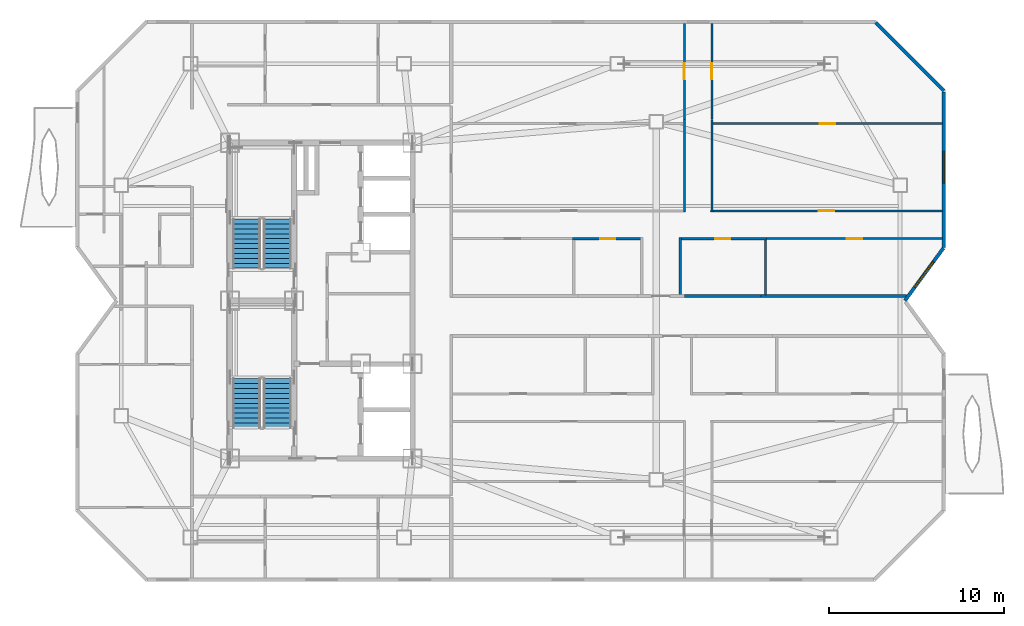
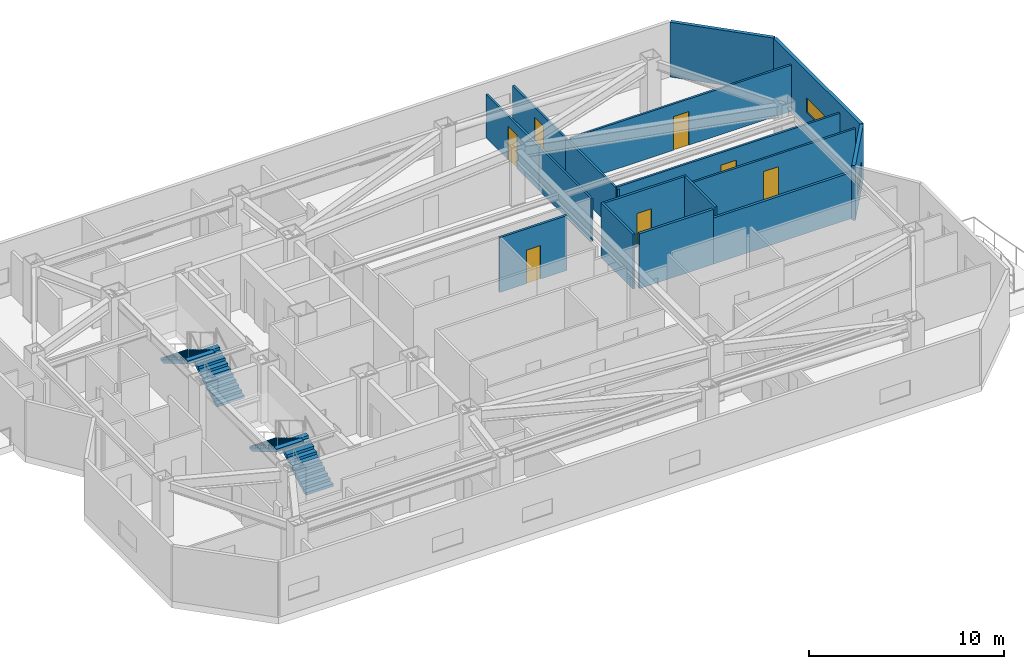
# One storey, part 8 of 10: 16 walls, 7 doors, 4 stair flights, 2 windows, 9 openings, 2 elements without a shape of their own.
"""IFC4 building model written with IfcOpenShell, lengths in metres."""

from ifc_helpers import new_model, si_unit, direction, frame, frame_2d, origin, place, context, subcontext, project, spatial, polyline, rectangle, outline, extrude, material, layer, layer_set, type_object, element, fill, aggregate, save


model = new_model("IFC4")

# Units and contexts
model_context = context("Model", 3, precision=1e-05, world=origin(), true_north=direction((0.0, 1.0)))
body_context = subcontext(model_context, "Body", "Model", "MODEL_VIEW")
ifc_project = project(units=[si_unit("LENGTHUNIT", "METRE"), si_unit("AREAUNIT", "SQUARE_METRE"), si_unit("VOLUMEUNIT", "CUBIC_METRE"), si_unit("PLANEANGLEUNIT", "RADIAN"), si_unit("MASSUNIT", "GRAM", prefix="KILO")], contexts=[model_context])

# Site, building, storey
site_placement = place(None, origin())
site = spatial("IfcSite", under=ifc_project, at=site_placement, CompositionType="ELEMENT")
building_placement = place(site_placement, origin())
building = spatial("IfcBuilding", under=site, at=building_placement, Name="Khamvora Tower", CompositionType="ELEMENT")
storey_placement = place(building_placement, frame((0.0, 0.0, 217.199951171875)))
storey = spatial("IfcBuildingStorey", under=building, at=storey_placement, Name="L55", CompositionType="ELEMENT", Elevation=217.199951171875)

# Walls
ifc_material_1 = material(Name="Fire-Rated Drywall and Steel Stud", Category="steel")
ifc_layer_1 = layer(ifc_material_1, 0.14990234375)
ifc_layer_set_1 = layer_set([ifc_layer_1], Name="Fire-Rated Drywall and Steel Stud")
wall_type_1 = type_object("IfcWallType", Name="WAL-CORR-150", PredefinedType="STANDARD", material=ifc_layer_set_1)
wall_1_placement = place(storey_placement, frame((59.281982421875, 28.264892578125, 0.0), z_axis=(0.0, 0.0, 1.0), x_axis=(1.0, 0.0, 0.0)))
element("IfcWall", 1, at=wall_1_placement, inside=storey, type_object=wall_type_1, Name="L55 interior partition wall 029", PredefinedType="STANDARD", context=body_context, shape_type="SweptSolid", body=[
    extrude(rectangle(XDim=8.284912109375, YDim=0.14990234375, at=frame_2d((4.142578125, 0.0))), origin(), (0.0, 0.0, 1.0), 2.886962890625),
])
wall_2_placement = place(storey_placement, frame((54.9150390625, 28.264892578125, 0.0), z_axis=(0.0, 0.0, 1.0), x_axis=(1.0, 0.0, 0.0)))
element("IfcWall", 2, at=wall_2_placement, inside=storey, type_object=wall_type_1, Name="L55 interior partition wall 033", PredefinedType="STANDARD", context=body_context, shape_type="SweptSolid", body=[
    extrude(rectangle(XDim=4.366943359375, YDim=0.14990234375, at=frame_2d((2.18359375, 0.0))), origin(), (0.0, 0.0, 1.0), 3.429931640625),
])
ifc_material_2 = material(Name="Precast concrete C40/50", Category="concrete")
ifc_layer_2 = layer(ifc_material_2, 0.199951171875)
ifc_layer_set_2 = layer_set([ifc_layer_2], Name="Precast concrete C40/50")
wall_type_2 = type_object("IfcWallType", Name="WAL-EXT-200", PredefinedType="STANDARD", material=ifc_layer_set_2)
wall_3_placement = place(storey_placement, frame((65.802001953125, 43.85693359375, 0.0), z_axis=(0.0, 0.0, 1.0), x_axis=(0.707106781187, -0.707106781187, 0.0)))
element("IfcWall", 3, at=wall_3_placement, inside=storey, type_object=wall_type_2, Name="L55 exterior facade wall 08.1", PredefinedType="STANDARD", context=body_context, shape_type="SweptSolid", body=[
    extrude(rectangle(XDim=5.512451171875, YDim=0.199951171875, at=frame_2d((2.75634765625, 0.0))), origin(), (0.0, 0.0, 1.0), 3.429931640625),
])

# Wall, opening, window
wall_4_placement = place(storey_placement, frame((69.699951171875, 39.89599609375, 0.0), z_axis=(0.0, 0.0, 1.0), x_axis=(0.0, -1.0, 0.0)))
wall_4 = element("IfcWall", 4, at=wall_4_placement, inside=storey, type_object=wall_type_2, Name="L55 exterior facade wall 09.1", PredefinedType="STANDARD", context=body_context, shape_type="SweptSolid", body=[
    extrude(rectangle(XDim=8.863037109375, YDim=0.199951171875, at=frame_2d((4.431640625, 0.0))), origin(), (0.0, 0.0, 1.0), 3.429931640625),
])
opening_1_placement = place(wall_4_placement, frame((3.39208984375, 0.0, 0.85009765625)))
opening_1 = element("IfcOpeningElement", 5, at=opening_1_placement, cuts=wall_4, Name="Opening WN-09", PredefinedType="OPENING", context=body_context, shape_type="SweptSolid", body=[
    extrude(rectangle(XDim=1.800048828125, YDim=0.919921875, at=frame_2d((0.89990234375, 0.4599609375))), frame((0.0, 0.10986328125, 0.0), z_axis=(0.0, -1.0, 0.0), x_axis=(1.0, 0.0, 0.0)), (0.0, 0.0, 1.0), 0.219970703125),
])
ifc_material_3 = material(Name="Low-E Laminated Double Glazing", Category="glass")
window_type = type_object("IfcWindowType", Name="WIN-CLR-1800x920", PartitioningType="SINGLE_PANEL", PredefinedType="WINDOW", material=ifc_material_3)
window_1_placement = place(opening_1_placement, origin())
window_1 = element("IfcWindow", 6, at=window_1_placement, inside=storey, type_object=window_type, Name="L55 vision window 09.1.01", OverallHeight=0.919921875, OverallWidth=1.800048828125, PartitioningType="SINGLE_PANEL", PredefinedType="WINDOW", context=body_context, shape_type="SweptSolid", body=[
    extrude(rectangle(XDim=1.800048828125, YDim=0.919921875, at=frame_2d((0.89990234375, 0.4599609375))), frame((0.0, 0.030029296875, 0.0), z_axis=(0.0, -1.0, 0.0), x_axis=(1.0, 0.0, 0.0)), (0.0, 0.0, 1.0), 0.06005859375),
])
fill(opening_1, window_1)

wall_5_placement = place(storey_placement, frame((69.669921875, 30.991943359375, 0.0), z_axis=(0.0, 0.0, 1.0), x_axis=(-0.591320870733, -0.806436375566, 0.0)))
wall_5 = element("IfcWall", 7, at=wall_5_placement, inside=storey, type_object=wall_type_2, Name="L55 exterior facade wall 10.1", PredefinedType="STANDARD", context=body_context, shape_type="SweptSolid", body=[
    extrude(rectangle(XDim=3.7099609375, YDim=0.199951171875, at=frame_2d((1.85498046875, 0.0))), origin(), (0.0, 0.0, 1.0), 3.429931640625),
])
opening_2_placement = place(wall_5_placement, frame((0.955078125, 0.0, 0.85009765625)))
opening_2 = element("IfcOpeningElement", 8, at=opening_2_placement, cuts=wall_5, Name="Opening WN-09", PredefinedType="OPENING", context=body_context, shape_type="SweptSolid", body=[
    extrude(rectangle(XDim=1.800048828125, YDim=0.919921875, at=frame_2d((0.89990234375, 0.4599609375))), frame((0.0, 0.10986328125, 0.0), z_axis=(0.0, -1.0, 0.0), x_axis=(1.0, 0.0, 0.0)), (0.0, 0.0, 1.0), 0.219970703125),
])
window_2_placement = place(opening_2_placement, origin())
window_2 = element("IfcWindow", 9, at=window_2_placement, inside=storey, type_object=window_type, Name="L55 vision window 10.1.01", OverallHeight=0.919921875, OverallWidth=1.800048828125, PartitioningType="SINGLE_PANEL", PredefinedType="WINDOW", context=body_context, shape_type="SweptSolid", body=[
    extrude(rectangle(XDim=1.800048828125, YDim=0.919921875, at=frame_2d((0.89990234375, 0.4599609375))), frame((0.0, 0.030029296875, 0.0), z_axis=(0.0, -1.0, 0.0), x_axis=(1.0, 0.0, 0.0)), (0.0, 0.0, 1.0), 0.06005859375),
])
fill(opening_2, window_2)

# Wall, opening, door
ifc_material_4 = material(Name="Gypsum Plasterboard Partition", Category="gypsum")
ifc_layer_3 = layer(ifc_material_4, 0.1201171875)
ifc_layer_set_3 = layer_set([ifc_layer_3], Name="Gypsum Plasterboard Partition")
wall_type_3 = type_object("IfcWallType", Name="WAL-PART-120", PredefinedType="PARTITIONING", material=ifc_layer_set_3)
wall_6_placement = place(storey_placement, frame((59.595947265625, 31.535888671875, 0.0), z_axis=(0.0, 0.0, 1.0), x_axis=(1.0, 0.0, 0.0)))
wall_6 = element("IfcWall", 10, at=wall_6_placement, inside=storey, type_object=wall_type_3, Name="L55 interior partition wall 079", PredefinedType="PARTITIONING", context=body_context, shape_type="SweptSolid", body=[
    extrude(rectangle(XDim=10.011962890625, YDim=0.1201171875, at=frame_2d((5.005859375, 0.0))), origin(), (0.0, 0.0, 1.0), 2.886962890625),
])
opening_3_placement = place(wall_6_placement, frame((4.555908203125, 0.0, 0.0)))
opening_3 = element("IfcOpeningElement", 11, at=opening_3_placement, cuts=wall_6, Name="Opening D-RM1", PredefinedType="OPENING", context=body_context, shape_type="SweptSolid", body=[
    extrude(rectangle(XDim=0.89990234375, YDim=2.10009765625, at=frame_2d((0.449951171875, 1.050048828125))), frame((0.0, 0.070068359375, 0.0), z_axis=(0.0, -1.0, 0.0), x_axis=(1.0, 0.0, 0.0)), (0.0, 0.0, 1.0), 0.14013671875),
])
ifc_material_5 = material(Name="Powder-Coated Steel and Hardwood Leaf", Category="steel")
door_type_1 = type_object("IfcDoorType", Name="DOR-ROOM-900", OperationType="NOTDEFINED", PredefinedType="DOOR", material=ifc_material_5)
door_1_placement = place(opening_3_placement, origin())
door_1 = element("IfcDoor", 12, at=door_1_placement, inside=storey, type_object=door_type_1, Name="L55 interior door 55EBW2-55EBH", OperationType="SINGLE_SWING_RIGHT", OverallHeight=2.10009765625, OverallWidth=0.89990234375, PredefinedType="DOOR", context=body_context, shape_type="SweptSolid", body=[
    extrude(rectangle(XDim=0.89990234375, YDim=2.10009765625, at=frame_2d((0.449951171875, 1.050048828125))), frame((0.0, 0.02490234375, 0.0), z_axis=(0.0, -1.0, 0.0), x_axis=(1.0, 0.0, 0.0)), (0.0, 0.0, 1.0), 0.050048828125),
])
fill(opening_3, door_1)

# Wall
wall_7_placement = place(storey_placement, frame((54.89990234375, 33.051025390625, 0.0), z_axis=(0.0, 0.0, 1.0), x_axis=(0.0, 1.0, 0.0)))
element("IfcWall", 13, at=wall_7_placement, inside=storey, type_object=wall_type_3, Name="L55 interior partition wall 086", PredefinedType="PARTITIONING", context=body_context, shape_type="SweptSolid", body=[
    extrude(rectangle(XDim=5.291015625, YDim=0.1201171875, at=frame_2d((2.6455078125, 0.0))), origin(), (0.0, 0.0, 1.0), 2.72509765625),
])

# Wall, opening, door
wall_8_placement = place(storey_placement, frame((54.89990234375, 38.342041015625, 0.0), z_axis=(0.0, 0.0, 1.0), x_axis=(0.0, 1.0, 0.0)))
wall_8 = element("IfcWall", 14, at=wall_8_placement, inside=storey, type_object=wall_type_3, Name="L55 interior partition wall 087", PredefinedType="PARTITIONING", context=body_context, shape_type="SweptSolid", body=[
    extrude(rectangle(XDim=5.466064453125, YDim=0.1201171875, at=frame_2d((2.73291015625, 0.0))), origin(), (0.0, 0.0, 1.0), 2.72509765625),
])
opening_4_placement = place(wall_8_placement, frame((2.282958984375, 0.0, 0.0)))
opening_4 = element("IfcOpeningElement", 15, at=opening_4_placement, cuts=wall_8, Name="Opening D-RM1", PredefinedType="OPENING", context=body_context, shape_type="SweptSolid", body=[
    extrude(rectangle(XDim=0.89990234375, YDim=2.10009765625, at=frame_2d((0.449951171875, 1.050048828125))), frame((0.0, 0.070068359375, 0.0), z_axis=(0.0, -1.0, 0.0), x_axis=(1.0, 0.0, 0.0)), (0.0, 0.0, 1.0), 0.14013671875),
])
door_2_placement = place(opening_4_placement, origin())
door_2 = element("IfcDoor", 16, at=door_2_placement, inside=storey, type_object=door_type_1, Name="L55 interior door 55EBH-55EBR2", OperationType="SINGLE_SWING_RIGHT", OverallHeight=2.10009765625, OverallWidth=0.89990234375, PredefinedType="DOOR", context=body_context, shape_type="SweptSolid", body=[
    extrude(rectangle(XDim=0.89990234375, YDim=2.10009765625, at=frame_2d((0.449951171875, 1.050048828125))), frame((0.0, 0.02490234375, 0.0), z_axis=(0.0, -1.0, 0.0), x_axis=(1.0, 0.0, 0.0)), (0.0, 0.0, 1.0), 0.050048828125),
])
fill(opening_4, door_2)

# Wall
wall_9_placement = place(storey_placement, frame((56.469970703125, 38.342041015625, 0.0), z_axis=(0.0, 0.0, 1.0), x_axis=(0.0, -1.0, 0.0)))
element("IfcWall", 17, at=wall_9_placement, inside=storey, type_object=wall_type_3, Name="L55 interior partition wall 088", PredefinedType="PARTITIONING", context=body_context, shape_type="SweptSolid", body=[
    extrude(rectangle(XDim=5.291015625, YDim=0.1201171875, at=frame_2d((2.6455078125, 0.0))), origin(), (0.0, 0.0, 1.0), 2.72509765625),
])

# Wall, opening, door
wall_10_placement = place(storey_placement, frame((56.405029296875, 33.115966796875, 0.0), z_axis=(0.0, 0.0, 1.0), x_axis=(1.0, 0.0, 0.0)))
wall_10 = element("IfcWall", 18, at=wall_10_placement, inside=storey, type_object=wall_type_3, Name="L55 interior partition wall 089", PredefinedType="PARTITIONING", context=body_context, shape_type="SweptSolid", body=[
    extrude(rectangle(XDim=13.202880859375, YDim=0.1201171875, at=frame_2d((6.6015625, 0.0))), origin(), (0.0, 0.0, 1.0), 2.886962890625),
])
opening_5_placement = place(wall_10_placement, frame((6.15087890625, 0.0, 0.0)))
opening_5 = element("IfcOpeningElement", 19, at=opening_5_placement, cuts=wall_10, Name="Opening D-RM1", PredefinedType="OPENING", context=body_context, shape_type="SweptSolid", body=[
    extrude(rectangle(XDim=0.89990234375, YDim=2.10009765625, at=frame_2d((0.449951171875, 1.050048828125))), frame((0.0, 0.070068359375, 0.0), z_axis=(0.0, -1.0, 0.0), x_axis=(1.0, 0.0, 0.0)), (0.0, 0.0, 1.0), 0.14013671875),
])
door_3_placement = place(opening_5_placement, origin())
door_3 = element("IfcDoor", 20, at=door_3_placement, inside=storey, type_object=door_type_1, Name="L55 interior door 55EBH-55EBR3", OperationType="SINGLE_SWING_LEFT", OverallHeight=2.10009765625, OverallWidth=0.89990234375, PredefinedType="DOOR", context=body_context, shape_type="SweptSolid", body=[
    extrude(rectangle(XDim=0.89990234375, YDim=2.10009765625, at=frame_2d((0.449951171875, 1.050048828125))), frame((0.0, 0.02490234375, 0.0), z_axis=(0.0, -1.0, 0.0), x_axis=(1.0, 0.0, 0.0)), (0.0, 0.0, 1.0), 0.050048828125),
])
fill(opening_5, door_3)

wall_11_placement = place(storey_placement, frame((56.469970703125, 43.80810546875, 0.0), z_axis=(0.0, 0.0, 1.0), x_axis=(0.0, -1.0, 0.0)))
wall_11 = element("IfcWall", 21, at=wall_11_placement, inside=storey, type_object=wall_type_3, Name="L55 interior partition wall 090", PredefinedType="PARTITIONING", context=body_context, shape_type="SweptSolid", body=[
    extrude(rectangle(XDim=5.466064453125, YDim=0.1201171875, at=frame_2d((2.73291015625, 0.0))), origin(), (0.0, 0.0, 1.0), 2.72509765625),
])
opening_6_placement = place(wall_11_placement, frame((2.282958984375, 0.0, 0.0)))
opening_6 = element("IfcOpeningElement", 22, at=opening_6_placement, cuts=wall_11, Name="Opening D-RM1", PredefinedType="OPENING", context=body_context, shape_type="SweptSolid", body=[
    extrude(rectangle(XDim=0.89990234375, YDim=2.10009765625, at=frame_2d((0.449951171875, 1.050048828125))), frame((0.0, 0.070068359375, 0.0), z_axis=(0.0, -1.0, 0.0), x_axis=(1.0, 0.0, 0.0)), (0.0, 0.0, 1.0), 0.14013671875),
])
door_4_placement = place(opening_6_placement, origin())
door_4 = element("IfcDoor", 23, at=door_4_placement, inside=storey, type_object=door_type_1, Name="L55 interior door 55EBH-55EBR4", OperationType="SINGLE_SWING_RIGHT", OverallHeight=2.10009765625, OverallWidth=0.89990234375, PredefinedType="DOOR", context=body_context, shape_type="SweptSolid", body=[
    extrude(rectangle(XDim=0.89990234375, YDim=2.10009765625, at=frame_2d((0.449951171875, 1.050048828125))), frame((0.0, 0.02490234375, 0.0), z_axis=(0.0, -1.0, 0.0), x_axis=(1.0, 0.0, 0.0)), (0.0, 0.0, 1.0), 0.050048828125),
])
fill(opening_6, door_4)

wall_12_placement = place(storey_placement, frame((56.52392578125, 38.093017578125, 0.0), z_axis=(0.0, 0.0, 1.0), x_axis=(1.0, 0.0, 0.0)))
wall_12 = element("IfcWall", 24, at=wall_12_placement, inside=storey, type_object=wall_type_3, Name="L55 interior partition wall 092", PredefinedType="PARTITIONING", context=body_context, shape_type="SweptSolid", body=[
    extrude(rectangle(XDim=13.083984375, YDim=0.1201171875, at=frame_2d((6.5419921875, 0.0))), origin(), (0.0, 0.0, 1.0), 2.886962890625),
])
opening_7_placement = place(wall_12_placement, frame((6.092041015625, 0.0, 0.0)))
opening_7 = element("IfcOpeningElement", 25, at=opening_7_placement, cuts=wall_12, Name="Opening D-RM1", PredefinedType="OPENING", context=body_context, shape_type="SweptSolid", body=[
    extrude(rectangle(XDim=0.89990234375, YDim=2.10009765625, at=frame_2d((0.449951171875, 1.050048828125))), frame((0.0, 0.070068359375, 0.0), z_axis=(0.0, -1.0, 0.0), x_axis=(1.0, 0.0, 0.0)), (0.0, 0.0, 1.0), 0.14013671875),
])
door_5_placement = place(opening_7_placement, origin())
door_5 = element("IfcDoor", 26, at=door_5_placement, inside=storey, type_object=door_type_1, Name="L55 interior door 55EBR3-55EBR4", OperationType="SINGLE_SWING_RIGHT", OverallHeight=2.10009765625, OverallWidth=0.89990234375, PredefinedType="DOOR", context=body_context, shape_type="SweptSolid", body=[
    extrude(rectangle(XDim=0.89990234375, YDim=2.10009765625, at=frame_2d((0.449951171875, 1.050048828125))), frame((0.0, 0.02490234375, 0.0), z_axis=(0.0, -1.0, 0.0), x_axis=(1.0, 0.0, 0.0)), (0.0, 0.0, 1.0), 0.050048828125),
])
fill(opening_7, door_5)

# Wall
ifc_material_6 = material(Name="Moisture-Resistant Plasterboard Partition", Category="gypsum")
ifc_layer_4 = layer(ifc_material_6, 0.135009765625)
ifc_layer_set_4 = layer_set([ifc_layer_4], Name="Moisture-Resistant Plasterboard Partition")
wall_type_4 = type_object("IfcWallType", Name="WAL-WET-135", PredefinedType="PARTITIONING", material=ifc_layer_set_4)
wall_13_placement = place(storey_placement, frame((59.531005859375, 28.33203125, 0.0), z_axis=(0.0, 0.0, 1.0), x_axis=(0.0, 1.0, 0.0)))
element("IfcWall", 27, at=wall_13_placement, inside=storey, type_object=wall_type_4, Name="L55 interior partition wall 080", PredefinedType="PARTITIONING", context=body_context, shape_type="SweptSolid", body=[
    extrude(rectangle(XDim=3.138916015625, YDim=0.135009765625, at=frame_2d((1.5693359375, 0.0))), origin(), (0.0, 0.0, 1.0), 3.429931640625),
])

# Wall, opening, door
wall_14_placement = place(storey_placement, frame((52.531005859375, 31.535888671875, 0.0), z_axis=(0.0, 0.0, 1.0), x_axis=(-1.0, 0.0, 0.0)))
wall_14 = element("IfcWall", 28, at=wall_14_placement, inside=storey, type_object=wall_type_4, Name="L55 interior partition wall 082", PredefinedType="PARTITIONING", context=body_context, shape_type="SweptSolid", body=[
    extrude(rectangle(XDim=3.9951171875, YDim=0.135009765625, at=frame_2d((1.99755859375, 0.0))), origin(), (0.0, 0.0, 1.0), 3.429931640625),
])
opening_8_placement = place(wall_14_placement, frame((1.572998046875, 0.0, 0.0)))
opening_8 = element("IfcOpeningElement", 29, at=opening_8_placement, cuts=wall_14, Name="Opening D-WC1", PredefinedType="OPENING", context=body_context, shape_type="SweptSolid", body=[
    extrude(rectangle(XDim=0.85009765625, YDim=2.10009765625, at=frame_2d((0.425048828125, 1.050048828125))), frame((0.0, 0.077392578125, 0.0), z_axis=(0.0, -1.0, 0.0), x_axis=(1.0, 0.0, 0.0)), (0.0, 0.0, 1.0), 0.155029296875),
])
door_type_2 = type_object("IfcDoorType", Name="DOR-WET-850", OperationType="NOTDEFINED", PredefinedType="DOOR", material=ifc_material_5)
door_6_placement = place(opening_8_placement, origin())
door_6 = element("IfcDoor", 30, at=door_6_placement, inside=storey, type_object=door_type_2, Name="L55 interior door 55EBH-55EBB", OperationType="SINGLE_SWING_LEFT", OverallHeight=2.10009765625, OverallWidth=0.85009765625, PredefinedType="DOOR", context=body_context, shape_type="SweptSolid", body=[
    extrude(rectangle(XDim=0.85009765625, YDim=2.10009765625, at=frame_2d((0.425048828125, 1.050048828125))), frame((0.0, 0.02490234375, 0.0), z_axis=(0.0, -1.0, 0.0), x_axis=(1.0, 0.0, 0.0)), (0.0, 0.0, 1.0), 0.050048828125),
])
fill(opening_8, door_6)

wall_15_placement = place(storey_placement, frame((59.595947265625, 31.535888671875, 0.0), z_axis=(0.0, 0.0, 1.0), x_axis=(-1.0, 0.0, 0.0)))
wall_15 = element("IfcWall", 31, at=wall_15_placement, inside=storey, type_object=wall_type_4, Name="L55 interior partition wall 083", PredefinedType="PARTITIONING", context=body_context, shape_type="SweptSolid", body=[
    extrude(rectangle(XDim=4.994873046875, YDim=0.135009765625, at=frame_2d((2.49755859375, 0.0))), origin(), (0.0, 0.0, 1.0), 3.429931640625),
])
opening_9_placement = place(wall_15_placement, frame((2.072998046875, 0.0, 0.0)))
opening_9 = element("IfcOpeningElement", 32, at=opening_9_placement, cuts=wall_15, Name="Opening D-RM2", PredefinedType="OPENING", context=body_context, shape_type="SweptSolid", body=[
    extrude(rectangle(XDim=0.85009765625, YDim=2.10009765625, at=frame_2d((0.425048828125, 1.050048828125))), frame((0.0, 0.077392578125, 0.0), z_axis=(0.0, -1.0, 0.0), x_axis=(1.0, 0.0, 0.0)), (0.0, 0.0, 1.0), 0.155029296875),
])
door_type_3 = type_object("IfcDoorType", Name="DOR-ROOM-850", OperationType="NOTDEFINED", PredefinedType="DOOR", material=ifc_material_5)
door_7_placement = place(opening_9_placement, origin())
door_7 = element("IfcDoor", 33, at=door_7_placement, inside=storey, type_object=door_type_3, Name="L55 interior door 55EBH-55EBK", OperationType="SINGLE_SWING_RIGHT", OverallHeight=2.10009765625, OverallWidth=0.85009765625, PredefinedType="DOOR", context=body_context, shape_type="SweptSolid", body=[
    extrude(rectangle(XDim=0.85009765625, YDim=2.10009765625, at=frame_2d((0.425048828125, 1.050048828125))), frame((0.0, 0.02490234375, 0.0), z_axis=(0.0, -1.0, 0.0), x_axis=(1.0, 0.0, 0.0)), (0.0, 0.0, 1.0), 0.050048828125),
])
fill(opening_9, door_7)

# Wall
wall_16_placement = place(storey_placement, frame((54.666015625, 31.60107421875, 0.0), z_axis=(0.0, 0.0, 1.0), x_axis=(0.0, -1.0, 0.0)))
element("IfcWall", 34, at=wall_16_placement, inside=storey, type_object=wall_type_4, Name="L55 interior partition wall 084", PredefinedType="PARTITIONING", context=body_context, shape_type="SweptSolid", body=[
    extrude(rectangle(XDim=3.26904296875, YDim=0.135009765625, at=frame_2d((1.634521484375, 0.0))), origin(), (0.0, 0.0, 1.0), 3.429931640625),
])

# Stair, stair flights
ifc_material_7 = material(Name="Concrete C40/50", Category="concrete")
stair_type_1 = type_object("IfcStairType", Name="STR-ST-01", PredefinedType="HALF_TURN_STAIR", material=ifc_material_7)
stair_1_placement = place(storey_placement, origin())
stair_1 = element("IfcStair", 35, at=stair_1_placement, inside=storey, type_object=stair_type_1, Name="L55 South Tower Exit Stair ST-01", PredefinedType="HALF_TURN_STAIR")
stair_flight_type_1 = type_object("IfcStairFlightType", Name="STF-ST-01", PredefinedType="STRAIGHT", material=ifc_material_7)
stair_flight_1_placement = place(storey_placement, frame((31.699951171875, 20.75, 0.0), z_axis=(0.0, 0.0, 1.0), x_axis=(0.0, 1.0, 0.0)))
stair_flight_1 = element("IfcStairFlight", 36, at=stair_flight_1_placement, type_object=stair_flight_type_1, Name="ST-01 flight 1", NumberOfRisers=11, NumberOfTreads=10, PredefinedType="STRAIGHT", RiserHeight=0.165909091, TreadLength=0.28, context=body_context, shape_type="SweptSolid", body=[
    extrude(outline(polyline([(0.0, 0.0), (0.0, 0.166015625), (0.280029296875, 0.166015625), (0.280029296875, 0.331787109375), (0.56005859375, 0.331787109375), (0.56005859375, 0.497802734375), (0.840087890625, 0.497802734375), (0.840087890625, 0.66357421875), (1.1201171875, 0.66357421875), (1.1201171875, 0.82958984375), (1.39990234375, 0.82958984375), (1.39990234375, 0.995361328125), (1.679931640625, 0.995361328125), (1.679931640625, 1.161376953125), (1.9599609375, 1.161376953125), (1.9599609375, 1.327392578125), (2.239990234375, 1.327392578125), (2.239990234375, 1.4931640625), (2.52001953125, 1.4931640625), (2.52001953125, 1.6591796875), (2.800048828125, 1.6591796875), (2.800048828125, 1.824951171875), (2.800048828125, 1.48486328125), (0.2939453125, 0.0), (0.0, 0.0)])), frame((0.0, 0.800048828125, 0.0), z_axis=(0.0, -1.0, 0.0), x_axis=(1.0, 0.0, 0.0)), (0.0, 0.0, 1.0), 1.60009765625),
])
stair_flight_2_placement = place(storey_placement, frame((29.949951171875, 23.550048828125, 1.824951171875), z_axis=(0.0, 0.0, 1.0), x_axis=(0.0, -1.0, 0.0)))
stair_flight_2 = element("IfcStairFlight", 37, at=stair_flight_2_placement, type_object=stair_flight_type_1, Name="ST-01 flight 2", NumberOfRisers=11, NumberOfTreads=10, PredefinedType="STRAIGHT", RiserHeight=0.165909091, TreadLength=0.28, context=body_context, shape_type="SweptSolid", body=[
    extrude(outline(polyline([(0.0, 0.0), (0.0, 0.166015625), (0.280029296875, 0.166015625), (0.280029296875, 0.331787109375), (0.56005859375, 0.331787109375), (0.56005859375, 0.497802734375), (0.840087890625, 0.497802734375), (0.840087890625, 0.66357421875), (1.1201171875, 0.66357421875), (1.1201171875, 0.82958984375), (1.39990234375, 0.82958984375), (1.39990234375, 0.995361328125), (1.679931640625, 0.995361328125), (1.679931640625, 1.161376953125), (1.9599609375, 1.161376953125), (1.9599609375, 1.327392578125), (2.239990234375, 1.327392578125), (2.239990234375, 1.4931640625), (2.52001953125, 1.4931640625), (2.52001953125, 1.6591796875), (2.800048828125, 1.6591796875), (2.800048828125, 1.824951171875), (2.800048828125, 1.48486328125), (0.2939453125, 0.0), (0.0, 0.0)])), frame((0.0, 0.800048828125, 0.0), z_axis=(0.0, -1.0, 0.0), x_axis=(1.0, 0.0, 0.0)), (0.0, 0.0, 1.0), 1.60009765625),
])
aggregate(stair_1, [stair_flight_1, stair_flight_2])

stair_type_2 = type_object("IfcStairType", Name="STR-ST-02", PredefinedType="HALF_TURN_STAIR", material=ifc_material_7)
stair_2_placement = place(storey_placement, origin())
stair_2 = element("IfcStair", 38, at=stair_2_placement, inside=storey, type_object=stair_type_2, Name="L55 North Tower Exit Stair ST-02", PredefinedType="HALF_TURN_STAIR")
stair_flight_type_2 = type_object("IfcStairFlightType", Name="STF-ST-02", PredefinedType="STRAIGHT", material=ifc_material_7)
stair_flight_3_placement = place(storey_placement, frame((31.699951171875, 29.85009765625, 0.0), z_axis=(0.0, 0.0, 1.0), x_axis=(0.0, 1.0, 0.0)))
stair_flight_3 = element("IfcStairFlight", 39, at=stair_flight_3_placement, type_object=stair_flight_type_2, Name="ST-02 flight 1", NumberOfRisers=11, NumberOfTreads=10, PredefinedType="STRAIGHT", RiserHeight=0.165909091, TreadLength=0.28, context=body_context, shape_type="SweptSolid", body=[
    extrude(outline(polyline([(0.0, 0.0), (0.0, 0.166015625), (0.280029296875, 0.166015625), (0.280029296875, 0.331787109375), (0.56005859375, 0.331787109375), (0.56005859375, 0.497802734375), (0.840087890625, 0.497802734375), (0.840087890625, 0.66357421875), (1.1201171875, 0.66357421875), (1.1201171875, 0.82958984375), (1.39990234375, 0.82958984375), (1.39990234375, 0.995361328125), (1.679931640625, 0.995361328125), (1.679931640625, 1.161376953125), (1.9599609375, 1.161376953125), (1.9599609375, 1.327392578125), (2.239990234375, 1.327392578125), (2.239990234375, 1.4931640625), (2.52001953125, 1.4931640625), (2.52001953125, 1.6591796875), (2.800048828125, 1.6591796875), (2.800048828125, 1.824951171875), (2.800048828125, 1.48486328125), (0.2939453125, 0.0), (0.0, 0.0)])), frame((0.0, 0.800048828125, 0.0), z_axis=(0.0, -1.0, 0.0), x_axis=(1.0, 0.0, 0.0)), (0.0, 0.0, 1.0), 1.60009765625),
])
stair_flight_4_placement = place(storey_placement, frame((29.949951171875, 32.64990234375, 1.824951171875), z_axis=(0.0, 0.0, 1.0), x_axis=(0.0, -1.0, 0.0)))
stair_flight_4 = element("IfcStairFlight", 40, at=stair_flight_4_placement, type_object=stair_flight_type_2, Name="ST-02 flight 2", NumberOfRisers=11, NumberOfTreads=10, PredefinedType="STRAIGHT", RiserHeight=0.165909091, TreadLength=0.28, context=body_context, shape_type="SweptSolid", body=[
    extrude(outline(polyline([(0.0, 0.0), (0.0, 0.166015625), (0.280029296875, 0.166015625), (0.280029296875, 0.331787109375), (0.56005859375, 0.331787109375), (0.56005859375, 0.497802734375), (0.840087890625, 0.497802734375), (0.840087890625, 0.66357421875), (1.1201171875, 0.66357421875), (1.1201171875, 0.82958984375), (1.39990234375, 0.82958984375), (1.39990234375, 0.995361328125), (1.679931640625, 0.995361328125), (1.679931640625, 1.161376953125), (1.9599609375, 1.161376953125), (1.9599609375, 1.327392578125), (2.239990234375, 1.327392578125), (2.239990234375, 1.4931640625), (2.52001953125, 1.4931640625), (2.52001953125, 1.6591796875), (2.800048828125, 1.6591796875), (2.800048828125, 1.824951171875), (2.800048828125, 1.48486328125), (0.2939453125, 0.0), (0.0, 0.0)])), frame((0.0, 0.800048828125, 0.0), z_axis=(0.0, -1.0, 0.0), x_axis=(1.0, 0.0, 0.0)), (0.0, 0.0, 1.0), 1.60009765625),
])
aggregate(stair_2, [stair_flight_3, stair_flight_4])

save(model, "model.ifc")
